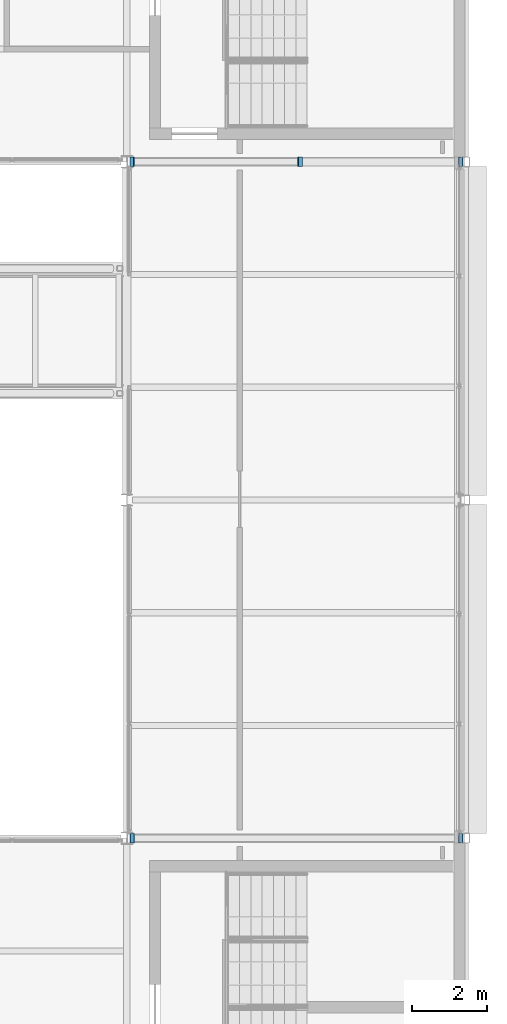
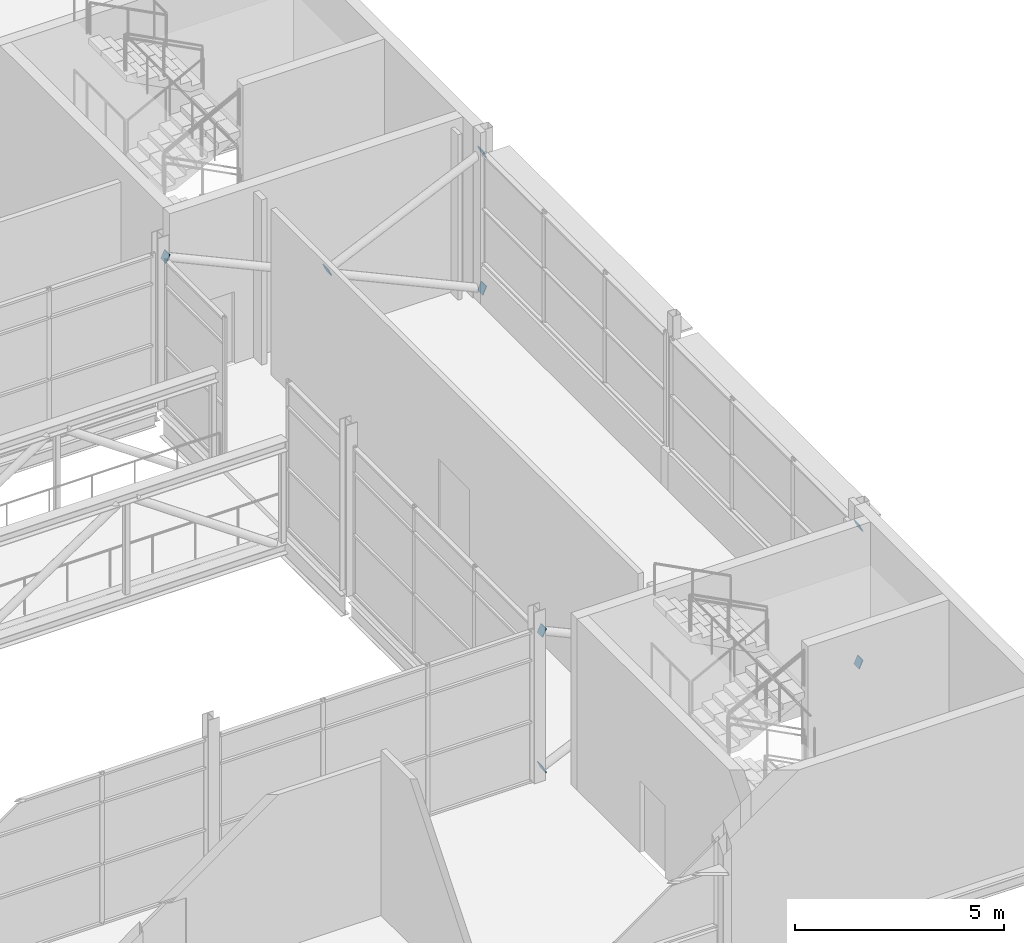
# One storey, part 86 of 94: 8 discrete accessories.
"""IFC4 building model written with IfcOpenShell, lengths in metres."""

from ifc_helpers import new_model, si_unit, direction, frame, origin, place, context, subcontext, project, spatial, polyline, outline, extrude, material, layer, layer_set, type_object, element, save


model = new_model("IFC4")

# Units and contexts
model_context = context("Model", 3, precision=1e-05, world=origin(), true_north=direction((0.0, 1.0)))
body_context = subcontext(model_context, "Body", "Model", "MODEL_VIEW")
ifc_project = project(units=[si_unit("LENGTHUNIT", "METRE"), si_unit("AREAUNIT", "SQUARE_METRE"), si_unit("VOLUMEUNIT", "CUBIC_METRE"), si_unit("PLANEANGLEUNIT", "RADIAN"), si_unit("MASSUNIT", "GRAM", prefix="KILO")], contexts=[model_context])

# Site, building, storey
site_placement = place(None, origin())
site = spatial("IfcSite", under=ifc_project, at=site_placement, CompositionType="ELEMENT")
building_placement = place(site_placement, origin())
building = spatial("IfcBuilding", under=site, at=building_placement, Name="Shorebreak Coast Museum", CompositionType="ELEMENT")
storey_placement = place(building_placement, frame((0.0, 0.0, 31.0)))
storey = spatial("IfcBuildingStorey", under=building, at=storey_placement, Name="L05", CompositionType="ELEMENT", Elevation=31.0)

# Discrete accessories
ifc_material = material(Name="Steel Grade 300", Category="steel")
ifc_layer = layer(ifc_material, 0.02490234375)
ifc_layer_set = layer_set([ifc_layer], Name="Steel Grade 300")
discrete_accessory_type = type_object("IfcDiscreteAccessoryType", Name="End plate 250 x 250 x 25", PredefinedType="BRACKET", material=ifc_layer_set)
discrete_accessory_1_placement = place(storey_placement, frame((108.205322265625, 62.875, 0.186279296875), z_axis=(0.910232642969, 0.0, 0.414097253883), x_axis=(0.0, 1.0, 0.0)))
element("IfcDiscreteAccessory", 1, at=discrete_accessory_1_placement, inside=storey, type_object=discrete_accessory_type, Name="End plate X-brace bay 02 L05 diagonal 1 end 1", PredefinedType="BRACKET", context=body_context, shape_type="SweptSolid", body=[
    extrude(outline(polyline([(0.0, 0.0), (0.25, 0.0), (0.25, 0.24997901828457428), (0.0, 0.24997901828457428), (0.0, 0.0)])), origin(), (0.0, 0.0, -1.0), 0.02490234375),
])
discrete_accessory_2_placement = place(storey_placement, frame((116.94970703125, 62.875, 4.171630859375), z_axis=(0.909864310999, 0.0, 0.41490593581), x_axis=(0.0, 1.0, 0.0)))
element("IfcDiscreteAccessory", 2, at=discrete_accessory_2_placement, inside=storey, type_object=discrete_accessory_type, Name="End plate X-brace bay 02 L05 diagonal 1 end 2", PredefinedType="BRACKET", context=body_context, shape_type="SweptSolid", body=[
    extrude(outline(polyline([(0.0, 0.0), (0.25, 0.0), (0.25, 0.2500802149829807), (0.0, 0.2500802149829807), (0.0, 0.0)])), origin(), (0.0, 0.0, -1.0), 0.02490234375),
])
discrete_accessory_3_placement = place(storey_placement, frame((116.8232421875, 63.125, 0.186279296875), z_axis=(-0.910232642969, 0.0, 0.414097253883), x_axis=(0.0, -1.0, 0.0)))
element("IfcDiscreteAccessory", 3, at=discrete_accessory_3_placement, inside=storey, type_object=discrete_accessory_type, Name="End plate X-brace bay 02 L05 diagonal 2 end 1", PredefinedType="BRACKET", context=body_context, shape_type="SweptSolid", body=[
    extrude(outline(polyline([(0.0, 0.0), (0.25, 0.0), (0.25, 0.24997901828457428), (0.0, 0.24997901828457428), (0.0, 0.0)])), origin(), (0.0, 0.0, -1.0), 0.02490234375),
])
for number, where, z_axis, x_axis, name in (
    (4, (108.078857421875, 63.125, 4.171630859375), (-0.909864310999, 0.0, 0.41490593581), (0.0, -1.0, 0.0), "End plate X-brace bay 02 L05 diagonal 2 end 2"),
    (5, (112.674072265625, 80.875, 2.222900390625), (0.909864310999, 0.0, 0.41490593581), (0.0, 1.0, 0.0), "End plate X-brace bay 04 L05 diagonal 1 end 1"),
    (6, (116.94970703125, 80.875, 4.171630859375), (0.909864310999, 0.0, 0.41490593581), (0.0, 1.0, 0.0), "End plate X-brace bay 04 L05 diagonal 1 end 2"),
):
    element("IfcDiscreteAccessory", number, at=place(storey_placement, frame(where, z_axis=z_axis, x_axis=x_axis)), inside=storey, type_object=discrete_accessory_type, Name=name, PredefinedType="BRACKET", context=body_context, shape_type="SweptSolid", body=[
        extrude(outline(polyline([(0.0, 0.0), (0.25, 0.0), (0.25, 0.2500802149829807), (0.0, 0.2500802149829807), (0.0, 0.0)])), origin(), (0.0, 0.0, -1.0), 0.02490234375),
    ])
discrete_accessory_4_placement = place(storey_placement, frame((116.8232421875, 81.125, 0.186279296875), z_axis=(-0.910232642969, 0.0, 0.414097253883), x_axis=(0.0, -1.0, 0.0)))
element("IfcDiscreteAccessory", 7, at=discrete_accessory_4_placement, inside=storey, type_object=discrete_accessory_type, Name="End plate X-brace bay 04 L05 diagonal 2 end 1", PredefinedType="BRACKET", context=body_context, shape_type="SweptSolid", body=[
    extrude(outline(polyline([(0.0, 0.0), (0.25, 0.0), (0.25, 0.24997901828457428), (0.0, 0.24997901828457428), (0.0, 0.0)])), origin(), (0.0, 0.0, -1.0), 0.02490234375),
])
discrete_accessory_5_placement = place(storey_placement, frame((108.078857421875, 81.125, 4.171630859375), z_axis=(-0.909864310999, 0.0, 0.41490593581), x_axis=(0.0, -1.0, 0.0)))
element("IfcDiscreteAccessory", 8, at=discrete_accessory_5_placement, inside=storey, type_object=discrete_accessory_type, Name="End plate X-brace bay 04 L05 diagonal 2 end 2", PredefinedType="BRACKET", context=body_context, shape_type="SweptSolid", body=[
    extrude(outline(polyline([(0.0, 0.0), (0.25, 0.0), (0.25, 0.2500802149829807), (0.0, 0.2500802149829807), (0.0, 0.0)])), origin(), (0.0, 0.0, -1.0), 0.02490234375),
])

save(model, "model.ifc")
